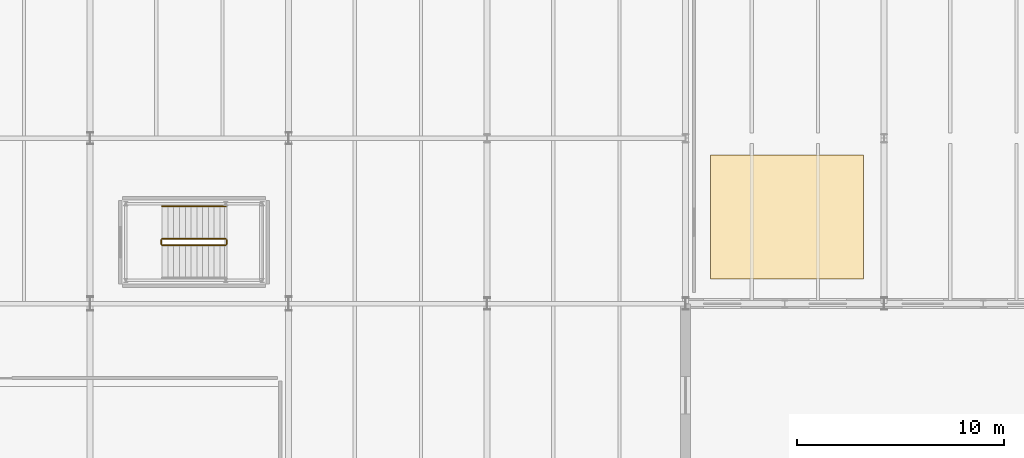
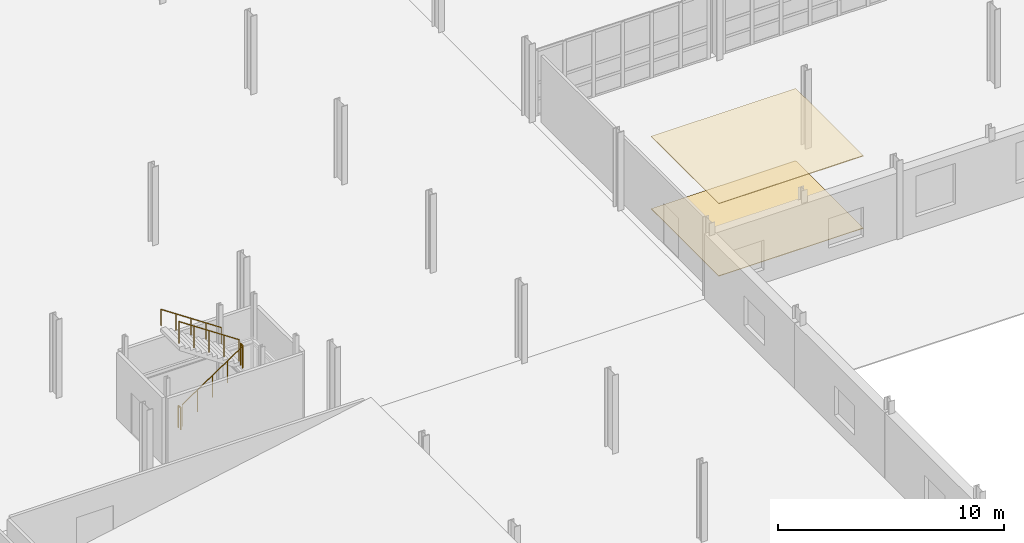
# One storey, part 69 of 78: 5 railings, 2 coverings.
"""IFC4 building model written with IfcOpenShell, lengths in metres."""

from ifc_helpers import new_model, si_unit, direction, frame, origin, origin_2d, place, context, subcontext, project, spatial, polyline, circle, outline, extrude, material, layer, layer_set, type_object, element, save


model = new_model("IFC4")

# Units and contexts
model_context = context("Model", 3, precision=1e-05, world=origin(), true_north=direction((0.0, 1.0)))
body_context = subcontext(model_context, "Body", "Model", "MODEL_VIEW")
ifc_project = project(units=[si_unit("LENGTHUNIT", "METRE"), si_unit("AREAUNIT", "SQUARE_METRE"), si_unit("VOLUMEUNIT", "CUBIC_METRE"), si_unit("PLANEANGLEUNIT", "RADIAN"), si_unit("MASSUNIT", "GRAM", prefix="KILO")], contexts=[model_context])

# Site, building, storey
site_placement = place(None, origin())
site = spatial("IfcSite", under=ifc_project, at=site_placement, CompositionType="ELEMENT")
building_placement = place(site_placement, origin())
building = spatial("IfcBuilding", under=site, at=building_placement, Name="Alderhovde Museum", CompositionType="ELEMENT")
storey_placement = place(building_placement, origin())
storey = spatial("IfcBuildingStorey", under=building, at=storey_placement, Name="L00", CompositionType="ELEMENT", Elevation=0.0)

# Coverings
ifc_material_1 = material(Name="Perforated Gypsum Acoustic Ceiling")
ifc_layer_1 = layer(ifc_material_1, 0.0400390625)
ifc_layer_set_1 = layer_set([ifc_layer_1], Name="Perforated Gypsum Acoustic Ceiling")
covering_type_1 = type_object("IfcCoveringType", Name="COV-CEIL-ACOU", PredefinedType="CEILING", material=ifc_layer_set_1)
covering_1_placement = place(storey_placement, frame((0.0, 0.0, 3.909912109375)))
element("IfcCovering", 1, at=covering_1_placement, inside=storey, type_object=covering_type_1, Name="L00 Acoustic Gallery Ceiling 2", PredefinedType="CEILING", context=body_context, shape_type="SweptSolid", body=[
    extrude(outline(polyline([(116.39990234375, 33.199951171875), (123.800048828125, 33.199951171875), (123.800048828125, 39.199951171875), (116.39990234375, 39.199951171875), (116.39990234375, 33.199951171875)])), origin(), (0.0, 0.0, 1.0), 0.0400390625),
])
ifc_material_2 = material(Name="Honed Nordic Granite Terrazzo Flooring", Category="masonry")
ifc_layer_2 = layer(ifc_material_2, 0.030029296875)
ifc_layer_set_2 = layer_set([ifc_layer_2], Name="Honed Nordic Granite Terrazzo Flooring")
covering_type_2 = type_object("IfcCoveringType", Name="COV-FLR-TERRAZZO", PredefinedType="FLOORING", material=ifc_layer_set_2)
covering_2_placement = place(storey_placement, origin())
element("IfcCovering", 2, at=covering_2_placement, inside=storey, type_object=covering_type_2, Name="L00 Granite Terrazzo Flooring 2", PredefinedType="FLOORING", context=body_context, shape_type="SweptSolid", body=[
    extrude(outline(polyline([(116.39990234375, 33.199951171875), (123.800048828125, 33.199951171875), (123.800048828125, 39.199951171875), (116.39990234375, 39.199951171875), (116.39990234375, 33.199951171875)])), origin(), (0.0, 0.0, 1.0), 0.030029296875),
])

# Railings
ifc_material_3 = material(Name="Painted Steel S355 Guardrail", Category="steel")
railing_type_1 = type_object("IfcRailingType", Name="RL-GUARD-1200", PredefinedType="GUARDRAIL", material=ifc_material_3)
railing_1_placement = place(storey_placement, frame((89.8798828125, 34.830078125, 0.1875)))
element("IfcRailing", 3, at=railing_1_placement, inside=storey, type_object=railing_type_1, Name="L00 ST3 stair guard 1", PredefinedType="GUARDRAIL", context=body_context, shape_type="SweptSolid", body=[
    extrude(circle(Radius=0.02392578125, at=origin_2d()), frame((0.0, 0.0, 1.17578125), z_axis=(0.830913701846, 0.0, 0.55640131208), x_axis=(0.0, 1.0, 0.0)), (0.0, 0.0, 1.0), 3.706787109375),
    extrude(circle(Radius=0.02099609375, at=origin_2d()), origin(), (0.0, 0.0, 1.0), 1.15185546875),
    extrude(circle(Radius=0.02099609375, at=origin_2d()), frame((0.77001953125, 0.0, 0.515625)), (0.0, 0.0, 1.0), 1.15185546875),
    extrude(circle(Radius=0.02099609375, at=origin_2d()), frame((1.5400390625, 0.0, 1.03125)), (0.0, 0.0, 1.0), 1.15185546875),
    extrude(circle(Radius=0.02099609375, at=origin_2d()), frame((2.31005859375, 0.0, 1.546875)), (0.0, 0.0, 1.0), 1.15185546875),
    extrude(circle(Radius=0.02099609375, at=origin_2d()), frame((3.080078125, 0.0, 2.0625)), (0.0, 0.0, 1.0), 1.15185546875),
])
railing_2_placement = place(storey_placement, frame((93.010009765625, 34.8798828125, 2.25)))
element("IfcRailing", 4, at=railing_2_placement, inside=storey, type_object=railing_type_1, Name="L00 ST3 stair guard 2", PredefinedType="GUARDRAIL", context=body_context, shape_type="SweptSolid", body=[
    extrude(circle(Radius=0.02392578125, at=origin_2d()), frame((0.0, 0.0, 1.17578125), z_axis=(0.0, 1.0, 0.0), x_axis=(-1.0, 0.0, 0.0)), (0.0, 0.0, 1.0), 0.2001953125),
    extrude(circle(Radius=0.02099609375, at=origin_2d()), origin(), (0.0, 0.0, 1.0), 1.15185546875),
    extrude(circle(Radius=0.02099609375, at=origin_2d()), frame((0.0, 0.2001953125, 0.0)), (0.0, 0.0, 1.0), 1.15185546875),
])
railing_3_placement = place(storey_placement, frame((92.9599609375, 35.1298828125, 2.4375)))
element("IfcRailing", 5, at=railing_3_placement, inside=storey, type_object=railing_type_1, Name="L00 ST3 stair guard 3", PredefinedType="GUARDRAIL", context=body_context, shape_type="SweptSolid", body=[
    extrude(circle(Radius=0.02392578125, at=origin_2d()), frame((0.0, 0.0, 1.17578125), z_axis=(-0.830913701846, 0.0, 0.55640131208), x_axis=(0.0, -1.0, 0.0)), (0.0, 0.0, 1.0), 3.706787109375),
    extrude(circle(Radius=0.02099609375, at=origin_2d()), origin(), (0.0, 0.0, 1.0), 1.15185546875),
    extrude(circle(Radius=0.02099609375, at=origin_2d()), frame((-0.77001953125, 0.0, 0.515625)), (0.0, 0.0, 1.0), 1.15185546875),
    extrude(circle(Radius=0.02099609375, at=origin_2d()), frame((-1.5400390625, 0.0, 1.03125)), (0.0, 0.0, 1.0), 1.15185546875),
    extrude(circle(Radius=0.02099609375, at=origin_2d()), frame((-2.31005859375, 0.0, 1.546875)), (0.0, 0.0, 1.0), 1.15185546875),
    extrude(circle(Radius=0.02099609375, at=origin_2d()), frame((-3.080078125, 0.0, 2.0625)), (0.0, 0.0, 1.0), 1.15185546875),
])
railing_4_placement = place(storey_placement, frame((89.830078125, 34.8798828125, 0.0)))
element("IfcRailing", 6, at=railing_4_placement, inside=storey, type_object=railing_type_1, Name="L00 ST3 stair guard 4", PredefinedType="GUARDRAIL", context=body_context, shape_type="SweptSolid", body=[
    extrude(circle(Radius=0.02392578125, at=origin_2d()), frame((0.0, 0.0, 1.17578125), z_axis=(0.0, 1.0, 0.0), x_axis=(-1.0, 0.0, 0.0)), (0.0, 0.0, 1.0), 0.2001953125),
    extrude(circle(Radius=0.02099609375, at=origin_2d()), origin(), (0.0, 0.0, 1.0), 1.15185546875),
    extrude(circle(Radius=0.02099609375, at=origin_2d()), frame((0.0, 0.2001953125, 0.0)), (0.0, 0.0, 1.0), 1.15185546875),
])
ifc_material_4 = material(Name="Brushed Stainless Steel Handrail", Category="steel")
railing_type_2 = type_object("IfcRailingType", Name="RL-HANDRAIL-900", PredefinedType="HANDRAIL", material=ifc_material_4)
railing_5_placement = place(storey_placement, frame((92.9599609375, 36.7099609375, 2.4375)))
element("IfcRailing", 7, at=railing_5_placement, inside=storey, type_object=railing_type_2, Name="L00 ST3 stair handrail 2", PredefinedType="HANDRAIL", context=body_context, shape_type="SweptSolid", body=[
    extrude(circle(Radius=0.02392578125, at=origin_2d()), frame((0.0, 0.0, 0.8759765625), z_axis=(-0.830913701846, 0.0, 0.55640131208), x_axis=(0.0, -1.0, 0.0)), (0.0, 0.0, 1.0), 3.706787109375),
    extrude(circle(Radius=0.02099609375, at=origin_2d()), origin(), (0.0, 0.0, 1.0), 0.851806640625),
    extrude(circle(Radius=0.02099609375, at=origin_2d()), frame((-0.77001953125, 0.0, 0.515625)), (0.0, 0.0, 1.0), 0.851806640625),
    extrude(circle(Radius=0.02099609375, at=origin_2d()), frame((-1.5400390625, 0.0, 1.03125)), (0.0, 0.0, 1.0), 0.851806640625),
    extrude(circle(Radius=0.02099609375, at=origin_2d()), frame((-2.31005859375, 0.0, 1.546875)), (0.0, 0.0, 1.0), 0.851806640625),
    extrude(circle(Radius=0.02099609375, at=origin_2d()), frame((-3.080078125, 0.0, 2.0625)), (0.0, 0.0, 1.0), 0.851806640625),
])

save(model, "model.ifc")
